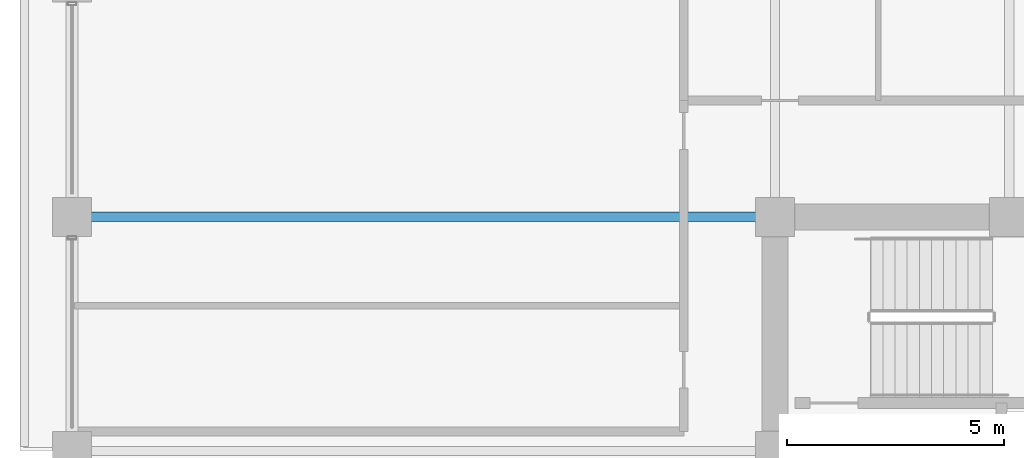
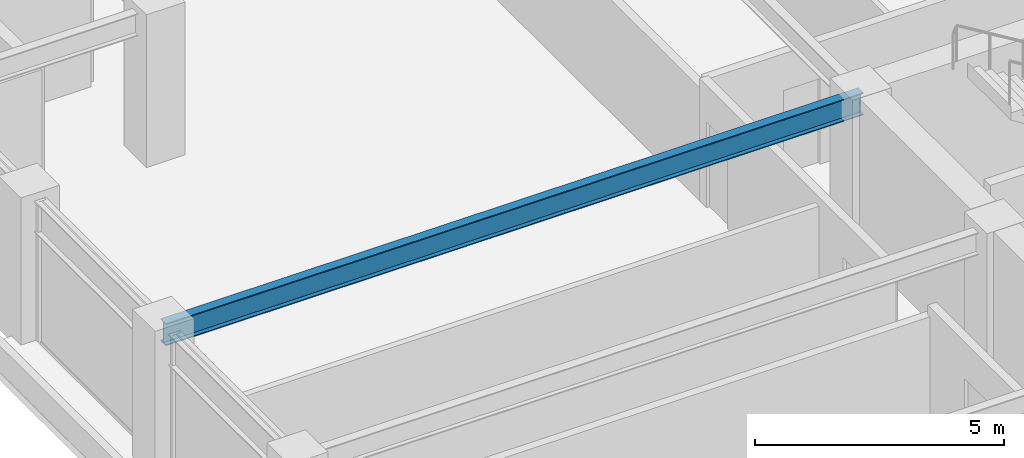
# One storey, part 17 of 31: 1 beam.
"""IFC4 building model written with IfcOpenShell, lengths in metres."""

from ifc_helpers import new_model, si_unit, direction, frame, origin, origin_2d, place, context, subcontext, project, spatial, i_section, extrude, material, material_profile, profile_set, type_object, element, save


model = new_model("IFC4")

# Units and contexts
model_context = context("Model", 3, precision=1e-05, world=origin(), true_north=direction((0.0, 1.0)))
body_context = subcontext(model_context, "Body", "Model", "MODEL_VIEW")
ifc_project = project(units=[si_unit("LENGTHUNIT", "METRE"), si_unit("AREAUNIT", "SQUARE_METRE"), si_unit("VOLUMEUNIT", "CUBIC_METRE"), si_unit("PLANEANGLEUNIT", "RADIAN"), si_unit("MASSUNIT", "GRAM", prefix="KILO")], contexts=[model_context])

# Site, building, storey
site_placement = place(None, origin())
site = spatial("IfcSite", under=ifc_project, at=site_placement, CompositionType="ELEMENT")
building_placement = place(site_placement, origin())
building = spatial("IfcBuilding", under=site, at=building_placement, Name="Surkhivell Harbour Commons", CompositionType="ELEMENT")
storey_placement = place(building_placement, frame((0.0, 0.0, 193.5)))
storey = spatial("IfcBuildingStorey", under=building, at=storey_placement, Name="L50", CompositionType="ELEMENT", Elevation=193.5)

# Beam
ifc_material = material(Name="Steel S355", Category="steel")
ifc_material_profile = material_profile(ifc_material, i_section(OverallWidth=0.2119140625, OverallDepth=0.5439453125, WebThickness=0.0126953125, FlangeThickness=0.021240234375, at=origin_2d()), Name="UB533x210x122")
ifc_profile_set = profile_set([ifc_material_profile], Name="Steel S355")
beam_type = type_object("IfcBeamType", Name="BM-GRD-533A", PredefinedType="BEAM", material=ifc_profile_set)
beam_placement = place(storey_placement, frame((-27.0, 10.800048828125, 3.298095703125), z_axis=(1.0, 0.0, 0.0), x_axis=(0.0, 1.0, 0.0)))
element("IfcBeam", 1, at=beam_placement, inside=storey, type_object=beam_type, Name="L50 Floor Girder (-27.0,10.8)", PredefinedType="BEAM", context=body_context, shape_type="SweptSolid", body=[
    extrude(i_section(OverallWidth=0.2119140625, OverallDepth=0.5439453125, WebThickness=0.0126953125, FlangeThickness=0.021240234375, at=origin_2d()), origin(), (0.0, 0.0, 1.0), 16.199951171875),
])

save(model, "model.ifc")
